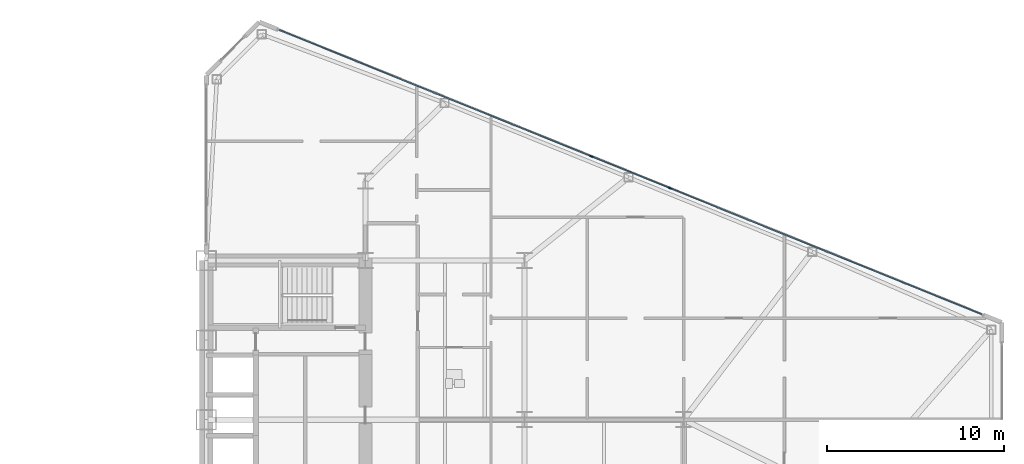
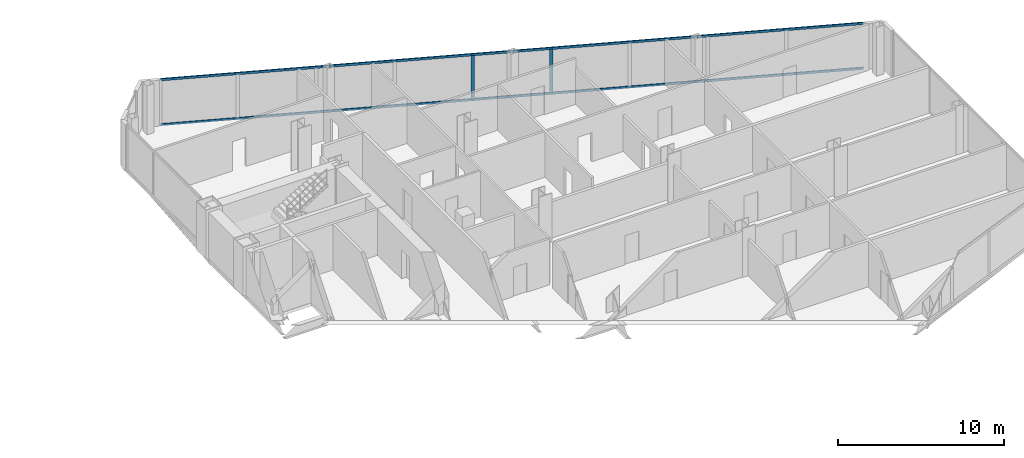
# One storey, part 12 of 25: 4 members, 1 element without a shape of its own.
"""IFC4 building model written with IfcOpenShell, lengths in metres."""

import ifcopenshell
import ifcopenshell.guid

model = None  # the IFC model being written
_history = None  # IfcOwnerHistory: only IFC2X3 demands one
_inside = {}  # id of a spatial element -> (the spatial element, [elements in it])
_under = {}  # id of a project, library or spatial element -> (it, [spatial elements below it])
_declared = {}  # id of a project -> (the project, [libraries it declares])
_typed = {}  # id of a type object -> (the type object, [elements of that type])
_made_of = {}  # id of a material, layer set ... -> (it, [elements and type objects made of it])


def new_model(schema):
    """Start an empty IFC model of exactly this schema.

    Asked for "IFC4X3", IfcOpenShell would pick the latest addendum, in which some entities
    have other attributes; the version numbers below select the first issue.
    IFC2X3 requires an IfcOwnerHistory on every rooted entity: one is made here for all.
    """
    global model, _history
    if schema == "IFC4X3":
        model = ifcopenshell.file(schema_version=(4, 3, 0, 0))
    else:
        model = ifcopenshell.file(schema=schema)
    _inside.clear()
    _under.clear()
    _declared.clear()
    _typed.clear()
    _made_of.clear()
    _history = None
    if model.schema == "IFC2X3":
        org = make("IfcOrganization", Name="unknown")
        user = make(
            "IfcPersonAndOrganization",
            ThePerson=make("IfcPerson", FamilyName="unknown"),
            TheOrganization=org,
        )
        app = make(
            "IfcApplication",
            ApplicationDeveloper=org,
            Version="unknown",
            ApplicationFullName="unknown",
            ApplicationIdentifier="unknown",
        )
        _history = make(
            "IfcOwnerHistory",
            OwningUser=user,
            OwningApplication=app,
            ChangeAction="ADDED",
            CreationDate=0,
        )
    return model


def make(cls, **values):
    """One entity of the class cls with the attributes given. An attribute that is None is left unset."""
    return model.create_entity(
        cls, **{name: value for name, value in values.items() if value is not None}
    )


def rooted(cls, **values):
    """An entity with a GlobalId (a new one), such as an element, a storey or a relation."""
    return make(cls, GlobalId=ifcopenshell.guid.new(), OwnerHistory=_history, **values)


def si_unit(unit_type, name, prefix=None):
    """IfcSIUnit, for example si_unit("LENGTHUNIT", "METRE", prefix="MILLI")."""
    return make("IfcSIUnit", UnitType=unit_type, Prefix=prefix, Name=name)


def assignment(units):
    """IfcUnitAssignment: the units of a project."""
    return None if units is None else make("IfcUnitAssignment", Units=units)


def point(xyz):
    """IfcCartesianPoint."""
    return None if xyz is None else make("IfcCartesianPoint", Coordinates=xyz)


def direction(xyz):
    """IfcDirection."""
    return None if xyz is None else make("IfcDirection", DirectionRatios=xyz)


def frame(location, z_axis=None, x_axis=None):
    """IfcAxis2Placement3D, a coordinate frame: its origin and axes. An axis left out is left unset."""
    return make(
        "IfcAxis2Placement3D",
        Location=point(location),
        Axis=direction(z_axis),
        RefDirection=direction(x_axis),
    )


def frame_2d(location, x_axis=None):
    """IfcAxis2Placement2D, a coordinate frame in the plane: its origin and x axis."""
    return make(
        "IfcAxis2Placement2D", Location=point(location), RefDirection=direction(x_axis)
    )


def origin():
    """The frame at (0, 0, 0) with its axes left unset."""
    return frame((0.0, 0.0, 0.0))


def origin_2d():
    """The frame at (0, 0) in the plane with its x axis left unset."""
    return frame_2d((0.0, 0.0))


def place(relative_to, where):
    """IfcLocalPlacement: puts the frame where relative to a parent placement (None: the world)."""
    return make(
        "IfcLocalPlacement", PlacementRelTo=relative_to, RelativePlacement=where
    )


def context(
    kind, dimensions, precision=None, world=None, true_north=None, identifier=None
):
    """IfcGeometricRepresentationContext, for example the 3D "Model" context."""
    return make(
        "IfcGeometricRepresentationContext",
        ContextIdentifier=identifier,
        ContextType=kind,
        CoordinateSpaceDimension=dimensions,
        Precision=precision,
        WorldCoordinateSystem=world,
        TrueNorth=true_north,
    )


def subcontext(parent, identifier, kind, view, scale=None):
    """IfcGeometricRepresentationSubContext, for example "Body" below "Model"."""
    return make(
        "IfcGeometricRepresentationSubContext",
        ContextIdentifier=identifier,
        ContextType=kind,
        ParentContext=parent,
        TargetScale=scale,
        TargetView=view,
    )


def project(units=None, contexts=None):
    """IfcProject with its units and contexts."""
    return rooted(
        "IfcProject",
        Name="project",
        RepresentationContexts=contexts,
        UnitsInContext=assignment(units),
    )


def spatial(cls, under=None, at=None, **own):
    """A site, building, storey or space (cls), placed at a placement, below another one or the project."""
    s = rooted(cls, ObjectPlacement=at, **own)
    if under is not None:
        _under.setdefault(under.id(), (under, []))[1].append(s)
    return s


def profile(cls, at=None, kind="AREA", **sizes):
    """A parametric profile (cls). Its sizes go by their IFC names, for example OverallWidth=200.0."""
    return make(cls, ProfileType=kind, Position=at, **sizes)


def rectangle(**sizes):
    """IfcRectangleProfileDef."""
    return profile("IfcRectangleProfileDef", **sizes)


def extrude(swept, where, along, depth):
    """IfcExtrudedAreaSolid: the profile swept, set in the frame where, extruded along a direction by depth."""
    return make(
        "IfcExtrudedAreaSolid",
        SweptArea=swept,
        Position=where,
        ExtrudedDirection=direction(along),
        Depth=depth,
    )


def shape(context_of_items, identifier, shape_type, items):
    """IfcShapeRepresentation: the items that make up one representation, for example the "Body"."""
    return make(
        "IfcShapeRepresentation",
        ContextOfItems=context_of_items,
        RepresentationIdentifier=identifier,
        RepresentationType=shape_type,
        Items=items,
    )


def source(mapping_origin, context_of_items, identifier, shape_type, items):
    """IfcRepresentationMap: a shape defined once, which mapped items show again and again."""
    return make(
        "IfcRepresentationMap",
        MappingOrigin=mapping_origin,
        MappedRepresentation=shape(context_of_items, identifier, shape_type, items),
    )


def transform(
    local_origin,
    x_axis=None,
    y_axis=None,
    z_axis=None,
    scale=None,
    scale2=None,
    scale3=None,
    uniform=True,
):
    """IfcCartesianTransformationOperator3D, or its non-uniform kind. x_axis, y_axis, z_axis: its Axis1, 2, 3."""
    if uniform:
        return make(
            "IfcCartesianTransformationOperator3D",
            Axis1=direction(x_axis),
            Axis2=direction(y_axis),
            LocalOrigin=point(local_origin),
            Scale=scale,
            Axis3=direction(z_axis),
        )
    return make(
        "IfcCartesianTransformationOperator3DnonUniform",
        Axis1=direction(x_axis),
        Axis2=direction(y_axis),
        LocalOrigin=point(local_origin),
        Scale=scale,
        Axis3=direction(z_axis),
        Scale2=scale2,
        Scale3=scale3,
    )


def mapped(mapping_source, mapping_target):
    """IfcMappedItem: shows the shape of a source again, moved by a transform."""
    return make(
        "IfcMappedItem", MappingSource=mapping_source, MappingTarget=mapping_target
    )


def material(Name=None, Category=None):
    """IfcMaterial."""
    return make("IfcMaterial", Name=Name, Category=Category)


def layer(
    of_material, thickness, ventilated=None, Name=None, Category=None, Priority=None
):
    """IfcMaterialLayer: one layer of a wall or slab, of a material (None: an air gap)."""
    return make(
        "IfcMaterialLayer",
        Material=of_material,
        LayerThickness=thickness,
        IsVentilated=ventilated,
        Name=Name,
        Category=Category,
        Priority=Priority,
    )


def layer_set(layers, Name=None):
    """IfcMaterialLayerSet."""
    return make("IfcMaterialLayerSet", MaterialLayers=layers, LayerSetName=Name)


def material_profile(
    of_material, cross_section, Name=None, Category=None, Priority=None
):
    """IfcMaterialProfile: a cross section and its material."""
    return make(
        "IfcMaterialProfile",
        Name=Name,
        Material=of_material,
        Profile=cross_section,
        Priority=Priority,
        Category=Category,
    )


def profile_set(profiles, Name=None, composite=None):
    """IfcMaterialProfileSet."""
    return make(
        "IfcMaterialProfileSet",
        Name=Name,
        MaterialProfiles=profiles,
        CompositeProfile=composite,
    )


def made_of(thing, what):
    """Note that an element or type object is made of a material, layer set ...; save() writes the relation."""
    if what is not None:
        _made_of.setdefault(what.id(), (what, []))[1].append(thing)
    return thing


def type_object(cls, material=None, **own):
    """A type object (cls), such as IfcWallType, which elements share."""
    return made_of(rooted(cls, **own), material)


def type_shapes(of_type, sources):
    """Give a type object the sources (RepresentationMaps) that its elements show as mapped items."""
    of_type.RepresentationMaps = sources


def element(
    cls,
    number,
    at=None,
    inside=None,
    cuts=None,
    type_object=None,
    material=None,
    context=None,
    identifier="Body",
    shape_type=None,
    held_by="IfcProductDefinitionShape",
    body=None,
    shapes=None,
    **own,
):
    """One element of the class cls, such as IfcWall. Its Tag is "e" and its number.

    at: its placement. inside: the storey or other place that contains it. cuts: it is an
    opening in that element (IfcRelVoidsElement). A single representation is given by context,
    identifier, shape_type and body (its items); several are given by shapes. held_by: the class
    of the entity that holds the representations. save() writes the other relations.
    """
    e = rooted(cls, Tag="e%d" % number, ObjectPlacement=at, **own)
    if body is not None:
        shapes = [shape(context, identifier, shape_type, body)]
    if shapes is not None:
        e.Representation = make(held_by, Representations=shapes)
    if inside is not None:
        _inside.setdefault(inside.id(), (inside, []))[1].append(e)
    if cuts is not None:
        rooted(
            "IfcRelVoidsElement", RelatingBuildingElement=cuts, RelatedOpeningElement=e
        )
    if type_object is not None:
        _typed.setdefault(type_object.id(), (type_object, []))[1].append(e)
    return made_of(e, material)


def aggregate(whole, parts):
    """IfcRelAggregates: a whole, such as a stair, and the parts it consists of."""
    return rooted("IfcRelAggregates", RelatingObject=whole, RelatedObjects=parts)


def save(model, path):
    """Write the relations noted so far, then the file.

    IfcRelAggregates (storeys below a building ...), IfcRelContainedInSpatialStructure (elements
    in a storey), IfcRelDefinesByType, IfcRelAssociatesMaterial and IfcRelDeclares: one each for
    every whole, place, type object, material and project.
    """
    for whole, parts in _under.values():
        aggregate(whole, parts)
    for where, things in _inside.values():
        rooted(
            "IfcRelContainedInSpatialStructure",
            RelatedElements=things,
            RelatingStructure=where,
        )
    for kind, things in _typed.values():
        rooted("IfcRelDefinesByType", RelatedObjects=things, RelatingType=kind)
    for what, things in _made_of.values():
        rooted("IfcRelAssociatesMaterial", RelatedObjects=things, RelatingMaterial=what)
    for by, libraries in _declared.values():
        rooted("IfcRelDeclares", RelatingContext=by, RelatedDefinitions=libraries)
    model.write(path)


model = new_model("IFC4")

# Units and contexts
model_context = context("Model", 3, precision=1e-05, world=origin(), true_north=direction((0.0, 1.0)))
body_context = subcontext(model_context, "Body", "Model", "MODEL_VIEW")
ifc_project = project(units=[si_unit("LENGTHUNIT", "METRE"), si_unit("AREAUNIT", "SQUARE_METRE"), si_unit("VOLUMEUNIT", "CUBIC_METRE"), si_unit("PLANEANGLEUNIT", "RADIAN"), si_unit("MASSUNIT", "GRAM", prefix="KILO")], contexts=[model_context])

# Site, building, storey
site_placement = place(None, origin())
site = spatial("IfcSite", under=ifc_project, at=site_placement, CompositionType="ELEMENT")
building_placement = place(site_placement, origin())
building = spatial("IfcBuilding", under=site, at=building_placement, Name="Seokmaru Belvedere", CompositionType="ELEMENT")
storey_placement = place(building_placement, frame((0.0, 0.0, 22.5)))
storey = spatial("IfcBuildingStorey", under=building, at=storey_placement, Name="L05", CompositionType="ELEMENT", Elevation=22.5)

# Curtain wall, members
ifc_material_1 = material(Name="Bronze Triple Insulating Glass", Category="glass")
ifc_layer = layer(ifc_material_1, 0.2099609375)
ifc_layer_set = layer_set([ifc_layer], Name="Bronze Triple Insulating Glass")
curtain_wall_type = type_object("IfcCurtainWallType", Name="Low-Rise Faceted Crystal Curtain Wall System CW-2", PredefinedType="NOTDEFINED", material=ifc_layer_set)
curtain_wall_placement = place(storey_placement, origin())
curtain_wall = element("IfcCurtainWall", 1, at=curtain_wall_placement, inside=storey, type_object=curtain_wall_type, Name="L05 Curtain Wall EF3", PredefinedType="NOTDEFINED")
ifc_material_2 = material(Name="Anodised Bronze Aluminium", Category="aluminium")
ifc_material_profile_1 = material_profile(ifc_material_2, rectangle(XDim=0.074951171875, YDim=0.2099609375, at=origin_2d()), Name="CW-M-75x210")
ifc_profile_set_1 = profile_set([ifc_material_profile_1], Name="Anodised Bronze Aluminium")
member_type_1 = type_object("IfcMemberType", Name="Bronze Unitised Mullion 75x210", PredefinedType="MULLION", material=ifc_profile_set_1)
shared_shape_1 = source(origin(), body_context, "Body", "SweptSolid", [
    extrude(rectangle(XDim=0.074951171875, YDim=0.2099609375, at=origin_2d()), origin(), (0.0, 0.0, 1.0), 3.239990234375),
])
type_shapes(member_type_1, [shared_shape_1])
member_1_placement = place(storey_placement, frame((53.71484375, 17.603515625, 0.070068359375), z_axis=(0.0, 0.0, 1.0), x_axis=(-0.375192321888, -0.926946989637, 0.0)))
member_1 = element("IfcMember", 2, at=member_1_placement, type_object=member_type_1, Name="CW:L05:EF3 Mullion 5", PredefinedType="MULLION", context=body_context, shape_type="MappedRepresentation", body=[
    mapped(shared_shape_1, transform((0.0, 0.0, 0.0), scale=1.0)),
])
member_2_placement = place(storey_placement, frame((49.28515625, 19.396484375, 0.070068359375), z_axis=(0.0, 0.0, 1.0), x_axis=(-0.375192321888, -0.926946989637, 0.0)))
member_2 = element("IfcMember", 3, at=member_2_placement, type_object=member_type_1, Name="CW:L05:EF3 Mullion 6", PredefinedType="MULLION", context=body_context, shape_type="MappedRepresentation", body=[
    mapped(shared_shape_1, transform((0.0, 0.0, 0.0), scale=1.0)),
])
ifc_material_profile_2 = material_profile(ifc_material_2, rectangle(XDim=0.070068359375, YDim=0.1650390625, at=origin_2d()), Name="CW-T-70x165")
ifc_profile_set_2 = profile_set([ifc_material_profile_2], Name="Anodised Bronze Aluminium")
member_type_2 = type_object("IfcMemberType", Name="Bronze Unitised Transom 70x165", PredefinedType="USERDEFINED", material=ifc_profile_set_2)
shared_shape_2 = source(origin(), body_context, "Body", "SweptSolid", [
    extrude(rectangle(XDim=0.070068359375, YDim=0.1650390625, at=origin_2d()), origin(), (0.0, 0.0, 1.0), 42.860107421875),
])
type_shapes(member_type_2, [shared_shape_2])
member_3_placement = place(storey_placement, frame((71.364501953125, 10.459716796875, 0.034912109375), z_axis=(-0.926948605599, 0.375188329481, 0.0), x_axis=(-0.375188329481, -0.926948605599, 0.0)))
member_3 = element("IfcMember", 4, at=member_3_placement, type_object=member_type_2, Name="CW:L05:EF3 Continuous Transom 1", ObjectType="TRANSOM", PredefinedType="USERDEFINED", context=body_context, shape_type="MappedRepresentation", body=[
    mapped(shared_shape_2, transform((0.0, 0.0, 0.0), scale=1.0)),
])
member_4_placement = place(storey_placement, frame((71.364501953125, 10.459716796875, 3.344970703125), z_axis=(-0.926948605599, 0.375188329481, 0.0), x_axis=(-0.375188329481, -0.926948605599, 0.0)))
member_4 = element("IfcMember", 5, at=member_4_placement, type_object=member_type_2, Name="CW:L05:EF3 Continuous Transom 2", ObjectType="TRANSOM", PredefinedType="USERDEFINED", context=body_context, shape_type="MappedRepresentation", body=[
    mapped(shared_shape_2, transform((0.0, 0.0, 0.0), scale=1.0)),
])
aggregate(curtain_wall, [member_1, member_2, member_3, member_4])

save(model, "model.ifc")
